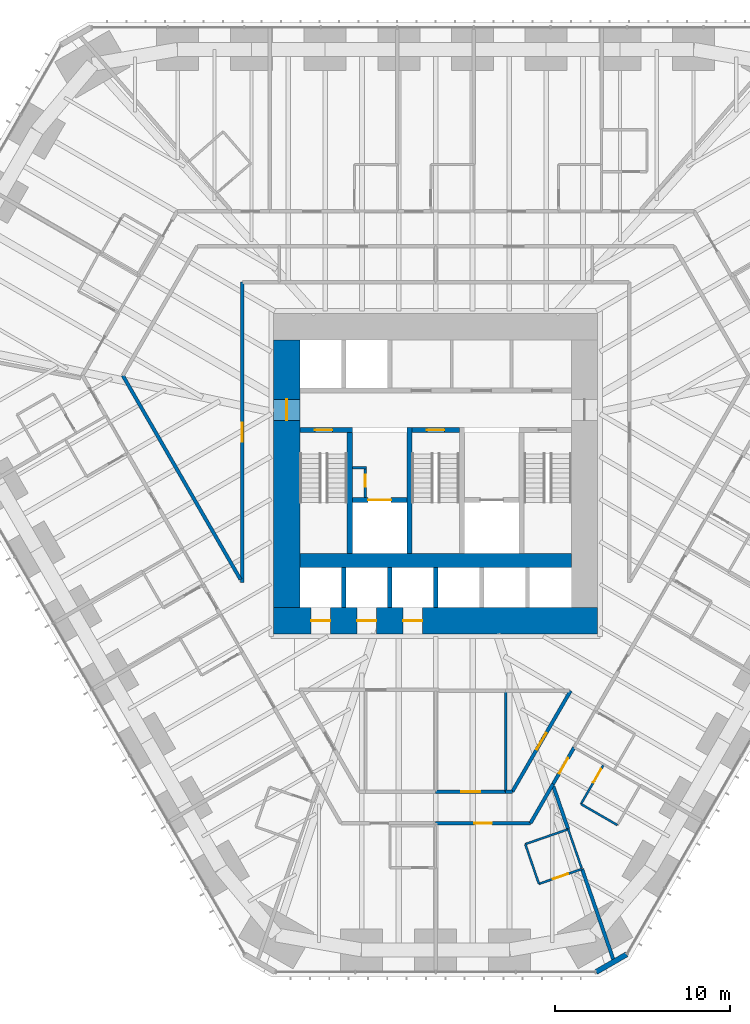
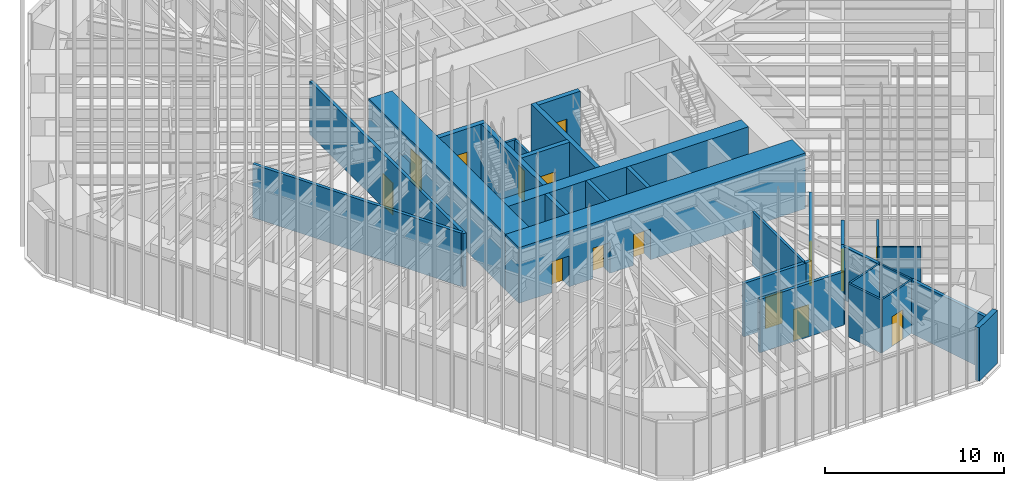
# One storey, part 251 of 256: 31 walls, 15 doors, 15 openings.
"""IFC4 building model written with IfcOpenShell, lengths in metres."""

from ifc_helpers import new_model, si_unit, direction, frame, frame_2d, origin, place, context, subcontext, project, spatial, rectangle, extrude, material, layer, layer_set, type_object, element, fill, save


model = new_model("IFC4")

# Units and contexts
model_context = context("Model", 3, precision=1e-05, world=origin(), true_north=direction((0.0, 1.0)))
body_context = subcontext(model_context, "Body", "Model", "MODEL_VIEW")
ifc_project = project(units=[si_unit("LENGTHUNIT", "METRE"), si_unit("AREAUNIT", "SQUARE_METRE"), si_unit("VOLUMEUNIT", "CUBIC_METRE"), si_unit("PLANEANGLEUNIT", "RADIAN"), si_unit("MASSUNIT", "GRAM", prefix="KILO")], contexts=[model_context])

# Site, building, storey
site_placement = place(None, origin())
site = spatial("IfcSite", under=ifc_project, at=site_placement, CompositionType="ELEMENT")
building_placement = place(site_placement, origin())
building = spatial("IfcBuilding", under=site, at=building_placement, Name="Sandreach Pilgrim Tower", CompositionType="ELEMENT")
storey_placement = place(building_placement, frame((0.0, 0.0, 23.0)))
storey = spatial("IfcBuildingStorey", under=building, at=storey_placement, Name="L04", CompositionType="ELEMENT", Elevation=23.0)

# Walls
ifc_material_1 = material(Name="Gypsum board on steel studs", Category="steel")
ifc_layer_1 = layer(ifc_material_1, 0.14990234375)
ifc_layer_set_1 = layer_set([ifc_layer_1], Name="Back of house wall 150")
wall_type_1 = type_object("IfcWallType", Name="Back of house wall 150", PredefinedType="PARTITIONING", material=ifc_layer_set_1)
wall_1_placement = place(storey_placement, frame((4.0, -13.949951171875, 0.0), z_axis=(0.0, 0.0, 1.0), x_axis=(0.0, -1.0, 0.0)))
element("IfcWall", 1, at=wall_1_placement, inside=storey, type_object=wall_type_1, Name="Back of house wall L04-094", PredefinedType="PARTITIONING", context=body_context, shape_type="SweptSolid", body=[
    extrude(rectangle(XDim=5.760009765625, YDim=0.14990234375, at=frame_2d((2.8798828125, 0.0))), origin(), (0.0, 0.0, 1.0), 3.639892578125),
])
ifc_material_2 = material(Name="Moisture-resistant gypsum board on steel studs", Category="steel")
ifc_layer_2 = layer(ifc_material_2, 0.1201171875)
ifc_layer_set_2 = layer_set([ifc_layer_2], Name="Bathroom partition 120")
wall_type_2 = type_object("IfcWallType", Name="Bathroom partition 120", PredefinedType="PARTITIONING", material=ifc_layer_set_2)
wall_2_placement = place(storey_placement, frame((5.1201171875, -22.7099609375, 0.0), z_axis=(0.0, 0.0, 1.0), x_axis=(0.324880771143, -0.945754981241, 0.0)))
element("IfcWall", 2, at=wall_2_placement, inside=storey, type_object=wall_type_2, Name="Bathroom partition L04-097", PredefinedType="PARTITIONING", context=body_context, shape_type="SweptSolid", body=[
    extrude(rectangle(XDim=2.400146484375, YDim=0.1201171875, at=frame_2d((1.2001953125, 0.0))), origin(), (0.0, 0.0, 1.0), 3.639892578125),
])

# Wall, opening, door
wall_3_placement = place(storey_placement, frame((5.89990234375, -24.97998046875, 0.0), z_axis=(0.0, 0.0, 1.0), x_axis=(0.945165466094, 0.326591857987, 0.0)))
wall_3 = element("IfcWall", 3, at=wall_3_placement, inside=storey, type_object=wall_type_2, Name="Bathroom partition L04-098", PredefinedType="PARTITIONING", context=body_context, shape_type="SweptSolid", body=[
    extrude(rectangle(XDim=2.60302734375, YDim=0.1201171875, at=frame_2d((1.301513671875, 0.0))), origin(), (0.0, 0.0, 1.0), 3.639892578125),
])
opening_1_placement = place(wall_3_placement, frame((0.85009765625, 0.0, 0.0)))
opening_1 = element("IfcOpeningElement", 4, at=opening_1_placement, cuts=wall_3, Name="Opening D09-13B", PredefinedType="OPENING", context=body_context, shape_type="SweptSolid", body=[
    extrude(rectangle(XDim=0.89990234375, YDim=2.030029296875, at=frame_2d((0.449951171875, 1.01513671875))), frame((0.0, 0.06005859375, 0.0), z_axis=(0.0, -1.0, 0.0), x_axis=(1.0, 0.0, 0.0)), (0.0, 0.0, 1.0), 0.1201171875),
])
ifc_material_3 = material(Name="Timber door, steel frame", Category="steel")
door_type_1 = type_object("IfcDoorType", Name="Bathroom door", OperationType="SINGLE_SWING_LEFT", PredefinedType="DOOR", material=ifc_material_3)
door_1_placement = place(opening_1_placement, origin())
door_1 = element("IfcDoor", 5, at=door_1_placement, inside=storey, type_object=door_type_1, Name="Door 0413B", OperationType="SINGLE_SWING_LEFT", OverallHeight=2.030029296875, OverallWidth=0.89990234375, PredefinedType="DOOR", context=body_context, shape_type="SweptSolid", body=[
    extrude(rectangle(XDim=0.89990234375, YDim=2.030029296875, at=frame_2d((0.449951171875, 1.01513671875))), frame((0.0, 0.02490234375, 0.0), z_axis=(0.0, -1.0, 0.0), x_axis=(1.0, 0.0, 0.0)), (0.0, 0.0, 1.0), 0.050048828125),
])
fill(opening_1, door_1)

# Walls
wall_4_placement = place(storey_placement, frame((7.570068359375, -21.860107421875, 0.0), z_axis=(0.0, 0.0, 1.0), x_axis=(-0.944782191137, -0.327698964463, 0.0)))
element("IfcWall", 6, at=wall_4_placement, inside=storey, type_object=wall_type_2, Name="Bathroom partition L04-104", PredefinedType="PARTITIONING", context=body_context, shape_type="SweptSolid", body=[
    extrude(rectangle(XDim=2.593505859375, YDim=0.1201171875, at=frame_2d((1.296875, 0.0))), origin(), (0.0, 0.0, 1.0), 3.639892578125),
])
wall_5_placement = place(storey_placement, frame((7.570068359375, -21.860107421875, 0.0), z_axis=(0.0, 0.0, 1.0), x_axis=(0.327706459026, -0.944779591605, 0.0)))
element("IfcWall", 7, at=wall_5_placement, inside=storey, type_object=wall_type_2, Name="Bathroom partition L04-105", PredefinedType="PARTITIONING", context=body_context, shape_type="SweptSolid", body=[
    extrude(rectangle(XDim=2.349609375, YDim=0.1201171875, at=frame_2d((1.1748046875, 0.0))), origin(), (0.0, 0.0, 1.0), 3.639892578125),
])
wall_6_placement = place(storey_placement, frame((8.300048828125, -20.419921875, 0.0), z_axis=(0.0, 0.0, 1.0), x_axis=(0.866177122335, -0.499737123639, 0.0)))
element("IfcWall", 8, at=wall_6_placement, inside=storey, type_object=wall_type_2, Name="Bathroom partition L04-109", PredefinedType="PARTITIONING", context=body_context, shape_type="SweptSolid", body=[
    extrude(rectangle(XDim=2.401123046875, YDim=0.1201171875, at=frame_2d((1.20068359375, 0.0))), origin(), (0.0, 0.0, 1.0), 3.639892578125),
])

# Wall, opening, door
wall_7_placement = place(storey_placement, frame((9.60009765625, -18.159912109375, 0.0), z_axis=(0.0, 0.0, 1.0), x_axis=(-0.498627694264, -0.866816256489, 0.0)))
wall_7 = element("IfcWall", 9, at=wall_7_placement, inside=storey, type_object=wall_type_2, Name="Bathroom partition L04-122", PredefinedType="PARTITIONING", context=body_context, shape_type="SweptSolid", body=[
    extrude(rectangle(XDim=2.607177734375, YDim=0.1201171875, at=frame_2d((1.3037109375, 0.0))), origin(), (0.0, 0.0, 1.0), 3.639892578125),
])
opening_2_placement = place(wall_7_placement, frame((0.300048828125, 0.0, 0.0)))
opening_2 = element("IfcOpeningElement", 10, at=opening_2_placement, cuts=wall_7, Name="Opening D09-12B", PredefinedType="OPENING", context=body_context, shape_type="SweptSolid", body=[
    extrude(rectangle(XDim=0.89990234375, YDim=2.030029296875, at=frame_2d((0.449951171875, 1.01513671875))), frame((0.0, 0.06005859375, 0.0), z_axis=(0.0, -1.0, 0.0), x_axis=(1.0, 0.0, 0.0)), (0.0, 0.0, 1.0), 0.1201171875),
])
door_2_placement = place(opening_2_placement, origin())
door_2 = element("IfcDoor", 11, at=door_2_placement, inside=storey, type_object=door_type_1, Name="Door 0412B", OperationType="SINGLE_SWING_LEFT", OverallHeight=2.030029296875, OverallWidth=0.89990234375, PredefinedType="DOOR", context=body_context, shape_type="SweptSolid", body=[
    extrude(rectangle(XDim=0.89990234375, YDim=2.030029296875, at=frame_2d((0.449951171875, 1.01513671875))), frame((0.0, 0.02490234375, 0.0), z_axis=(0.0, -1.0, 0.0), x_axis=(1.0, 0.0, 0.0)), (0.0, 0.0, 1.0), 0.050048828125),
])
fill(opening_2, door_2)

# Walls
ifc_material_4 = material(Name="Concrete 10000 psi", Category="concrete")
ifc_layer_3 = layer(ifc_material_4, 0.300048828125)
ifc_layer_set_3 = layer_set([ifc_layer_3], Name="Core inner wall 300")
wall_type_3 = type_object("IfcWallType", Name="Core inner wall 300", PredefinedType="SHEAR", material=ifc_layer_set_3)
for number, where, z_axis, x_axis, name in (
    (12, (-4.89990234375, -6.10009765625, 0.0), (0.0, 0.0, 1.0), (0.0, 1.0, 0.0), "Core wall I0 L04"),
    (13, (-1.5, -6.10009765625, 0.0), (0.0, 0.0, 1.0), (0.0, 1.0, 0.0), "Core wall I1 L04"),
):
    element("IfcWall", number, at=place(storey_placement, frame(where, z_axis=z_axis, x_axis=x_axis)), inside=storey, type_object=wall_type_3, Name=name, PredefinedType="SHEAR", context=body_context, shape_type="SweptSolid", body=[
        extrude(rectangle(XDim=7.2001953125, YDim=0.300048828125, at=frame_2d((3.60009765625, 0.0))), origin(), (0.0, 0.0, 1.0), 3.800048828125),
    ])

# Wall, opening, door
wall_8_placement = place(storey_placement, frame((-7.75, 0.949951171875, 0.0), z_axis=(0.0, 0.0, 1.0), x_axis=(1.0, 0.0, 0.0)))
wall_8 = element("IfcWall", 14, at=wall_8_placement, inside=storey, type_object=wall_type_3, Name="Core wall SN1 L04", PredefinedType="SHEAR", context=body_context, shape_type="SweptSolid", body=[
    extrude(rectangle(XDim=3.0, YDim=0.300048828125, at=frame_2d((1.5, 0.0))), origin(), (0.0, 0.0, 1.0), 3.800048828125),
])
opening_3_placement = place(wall_8_placement, frame((0.85009765625, 0.0, 0.0)))
opening_3 = element("IfcOpeningElement", 15, at=opening_3_placement, cuts=wall_8, Name="Opening D10S-ST1", PredefinedType="OPENING", context=body_context, shape_type="SweptSolid", body=[
    extrude(rectangle(XDim=1.0, YDim=2.199951171875, at=frame_2d((0.5, 1.10009765625))), frame((0.0, 0.14990234375, 0.0), z_axis=(0.0, -1.0, 0.0), x_axis=(1.0, 0.0, 0.0)), (0.0, 0.0, 1.0), 0.300048828125),
])
ifc_material_5 = material(Name="Steel door and frame", Category="steel")
door_type_2 = type_object("IfcDoorType", Name="Stair door", OperationType="SINGLE_SWING_LEFT", PredefinedType="DOOR", material=ifc_material_5)
door_3_placement = place(opening_3_placement, origin())
door_3 = element("IfcDoor", 16, at=door_3_placement, inside=storey, type_object=door_type_2, Name="Stair door ST1 L04", OperationType="SINGLE_SWING_LEFT", OverallHeight=2.199951171875, OverallWidth=1.0, PredefinedType="DOOR", context=body_context, shape_type="SweptSolid", body=[
    extrude(rectangle(XDim=1.0, YDim=2.199951171875, at=frame_2d((0.5, 1.10009765625))), frame((0.0, 0.02490234375, 0.0), z_axis=(0.0, -1.0, 0.0), x_axis=(1.0, 0.0, 0.0)), (0.0, 0.0, 1.0), 0.050048828125),
])
fill(opening_3, door_3)

wall_9_placement = place(storey_placement, frame((-1.35009765625, 0.949951171875, 0.0), z_axis=(0.0, 0.0, 1.0), x_axis=(1.0, 0.0, 0.0)))
wall_9 = element("IfcWall", 17, at=wall_9_placement, inside=storey, type_object=wall_type_3, Name="Core wall SN3 L04", PredefinedType="SHEAR", context=body_context, shape_type="SweptSolid", body=[
    extrude(rectangle(XDim=2.7001953125, YDim=0.300048828125, at=frame_2d((1.35009765625, 0.0))), origin(), (0.0, 0.0, 1.0), 3.800048828125),
])
opening_4_placement = place(wall_9_placement, frame((0.85009765625, 0.0, 0.0)))
opening_4 = element("IfcOpeningElement", 18, at=opening_4_placement, cuts=wall_9, Name="Opening D10S-ST3", PredefinedType="OPENING", context=body_context, shape_type="SweptSolid", body=[
    extrude(rectangle(XDim=1.0, YDim=2.199951171875, at=frame_2d((0.5, 1.10009765625))), frame((0.0, 0.14990234375, 0.0), z_axis=(0.0, -1.0, 0.0), x_axis=(1.0, 0.0, 0.0)), (0.0, 0.0, 1.0), 0.300048828125),
])
door_4_placement = place(opening_4_placement, origin())
door_4 = element("IfcDoor", 19, at=door_4_placement, inside=storey, type_object=door_type_2, Name="Stair door ST3 L04", OperationType="SINGLE_SWING_LEFT", OverallHeight=2.199951171875, OverallWidth=1.0, PredefinedType="DOOR", context=body_context, shape_type="SweptSolid", body=[
    extrude(rectangle(XDim=1.0, YDim=2.199951171875, at=frame_2d((0.5, 1.10009765625))), frame((0.0, 0.02490234375, 0.0), z_axis=(0.0, -1.0, 0.0), x_axis=(1.0, 0.0, 0.0)), (0.0, 0.0, 1.0), 0.050048828125),
])
fill(opening_4, door_4)

wall_10_placement = place(storey_placement, frame((-4.75, -3.050048828125, 0.0), z_axis=(0.0, 0.0, 1.0), x_axis=(1.0, 0.0, 0.0)))
wall_10 = element("IfcWall", 20, at=wall_10_placement, inside=storey, type_object=wall_type_3, Name="Core wall FL1 L04", PredefinedType="SHEAR", context=body_context, shape_type="SweptSolid", body=[
    extrude(rectangle(XDim=3.10009765625, YDim=0.300048828125, at=frame_2d((1.550048828125, 0.0))), origin(), (0.0, 0.0, 1.0), 3.800048828125),
])
opening_5_placement = place(wall_10_placement, frame((0.89990234375, 0.0, 0.0)))
opening_5 = element("IfcOpeningElement", 21, at=opening_5_placement, cuts=wall_10, Name="Opening LD13", PredefinedType="OPENING", context=body_context, shape_type="SweptSolid", body=[
    extrude(rectangle(XDim=1.300048828125, YDim=2.10009765625, at=frame_2d((0.64990234375, 1.050048828125))), frame((0.0, 0.14990234375, 0.0), z_axis=(0.0, -1.0, 0.0), x_axis=(1.0, 0.0, 0.0)), (0.0, 0.0, 1.0), 0.300048828125),
])
ifc_material_6 = material(Name="Steel door and frame", Category="steel")
door_type_3 = type_object("IfcDoorType", Name="Fire service lift landing door", OperationType="DOUBLE_DOOR_SLIDING", PredefinedType="DOOR", material=ifc_material_6)
door_5_placement = place(opening_5_placement, origin())
door_5 = element("IfcDoor", 22, at=door_5_placement, inside=storey, type_object=door_type_3, Name="Lift landing door FS1 L04", OperationType="DOUBLE_DOOR_SLIDING", OverallHeight=2.10009765625, OverallWidth=1.300048828125, PredefinedType="DOOR", context=body_context, shape_type="SweptSolid", body=[
    extrude(rectangle(XDim=1.300048828125, YDim=2.10009765625, at=frame_2d((0.64990234375, 1.050048828125))), frame((0.0, 0.02490234375, 0.0), z_axis=(0.0, -1.0, 0.0), x_axis=(1.0, 0.0, 0.0)), (0.0, 0.0, 1.0), 0.050048828125),
])
fill(opening_5, door_5)

# Wall
ifc_material_7 = material(Name="Concrete 10000 psi", Category="concrete")
ifc_layer_4 = layer(ifc_material_7, 0.800048828125)
ifc_layer_set_4 = layer_set([ifc_layer_4], Name="Core mid wall 800")
wall_type_4 = type_object("IfcWallType", Name="Core mid wall 800", PredefinedType="SHEAR", material=ifc_layer_set_4)
wall_11_placement = place(storey_placement, frame((-7.75, -6.5, 0.0), z_axis=(0.0, 0.0, 1.0), x_axis=(1.0, 0.0, 0.0)))
element("IfcWall", 23, at=wall_11_placement, inside=storey, type_object=wall_type_4, Name="Core wall M L04", PredefinedType="SHEAR", context=body_context, shape_type="SweptSolid", body=[
    extrude(rectangle(XDim=15.5, YDim=0.800048828125, at=frame_2d((7.75, 0.0))), origin(), (0.0, 0.0, 1.0), 3.800048828125),
])

# Wall, openings, doors
ifc_material_8 = material(Name="Concrete 10000 psi", Category="concrete")
ifc_layer_5 = layer(ifc_material_8, 1.5)
ifc_layer_set_5 = layer_set([ifc_layer_5], Name="Core wall 1500")
wall_type_5 = type_object("IfcWallType", Name="Core wall 1500", PredefinedType="SHEAR", material=ifc_layer_set_5)
wall_12_placement = place(storey_placement, frame((-9.25, -9.949951171875, 0.0), z_axis=(0.0, 0.0, 1.0), x_axis=(1.0, 0.0, 0.0)))
wall_12 = element("IfcWall", 24, at=wall_12_placement, inside=storey, type_object=wall_type_5, Name="Core wall S L04", PredefinedType="SHEAR", context=body_context, shape_type="SweptSolid", body=[
    extrude(rectangle(XDim=18.5, YDim=1.5, at=frame_2d((9.25, 0.0))), origin(), (0.0, 0.0, 1.0), 3.800048828125),
])
opening_6_placement = place(wall_12_placement, frame((2.137451171875, 0.0, 0.0)))
opening_6 = element("IfcOpeningElement", 25, at=opening_6_placement, cuts=wall_12, Name="Opening LD11", PredefinedType="OPENING", context=body_context, shape_type="SweptSolid", body=[
    extrude(rectangle(XDim=1.10009765625, YDim=2.10009765625, at=frame_2d((0.550048828125, 1.050048828125))), frame((0.0, 0.75, 0.0), z_axis=(0.0, -1.0, 0.0), x_axis=(1.0, 0.0, 0.0)), (0.0, 0.0, 1.0), 1.5),
])
opening_7_placement = place(wall_12_placement, frame((4.762451171875, 0.0, 0.0)))
opening_7 = element("IfcOpeningElement", 26, at=opening_7_placement, cuts=wall_12, Name="Opening LD11", PredefinedType="OPENING", context=body_context, shape_type="SweptSolid", body=[
    extrude(rectangle(XDim=1.10009765625, YDim=2.10009765625, at=frame_2d((0.550048828125, 1.050048828125))), frame((0.0, 0.75, 0.0), z_axis=(0.0, -1.0, 0.0), x_axis=(1.0, 0.0, 0.0)), (0.0, 0.0, 1.0), 1.5),
])
opening_8_placement = place(wall_12_placement, frame((7.387451171875, 0.0, 0.0)))
opening_8 = element("IfcOpeningElement", 27, at=opening_8_placement, cuts=wall_12, Name="Opening LD11", PredefinedType="OPENING", context=body_context, shape_type="SweptSolid", body=[
    extrude(rectangle(XDim=1.10009765625, YDim=2.10009765625, at=frame_2d((0.550048828125, 1.050048828125))), frame((0.0, 0.75, 0.0), z_axis=(0.0, -1.0, 0.0), x_axis=(1.0, 0.0, 0.0)), (0.0, 0.0, 1.0), 1.5),
])
ifc_material_9 = material(Name="Steel door and frame", Category="steel")
door_type_4 = type_object("IfcDoorType", Name="Lift landing door", OperationType="DOUBLE_DOOR_SLIDING", PredefinedType="DOOR", material=ifc_material_9)
door_6_placement = place(opening_6_placement, origin())
door_6 = element("IfcDoor", 28, at=door_6_placement, inside=storey, type_object=door_type_4, Name="Lift landing door Z1A L04", OperationType="DOUBLE_DOOR_SLIDING", OverallHeight=2.10009765625, OverallWidth=1.10009765625, PredefinedType="DOOR", context=body_context, shape_type="SweptSolid", body=[
    extrude(rectangle(XDim=1.10009765625, YDim=2.10009765625, at=frame_2d((0.550048828125, 1.050048828125))), frame((0.0, 0.02490234375, 0.0), z_axis=(0.0, -1.0, 0.0), x_axis=(1.0, 0.0, 0.0)), (0.0, 0.0, 1.0), 0.050048828125),
])
fill(opening_6, door_6)
door_7_placement = place(opening_7_placement, origin())
door_7 = element("IfcDoor", 29, at=door_7_placement, inside=storey, type_object=door_type_4, Name="Lift landing door Z1B L04", OperationType="DOUBLE_DOOR_SLIDING", OverallHeight=2.10009765625, OverallWidth=1.10009765625, PredefinedType="DOOR", context=body_context, shape_type="SweptSolid", body=[
    extrude(rectangle(XDim=1.10009765625, YDim=2.10009765625, at=frame_2d((0.550048828125, 1.050048828125))), frame((0.0, 0.02490234375, 0.0), z_axis=(0.0, -1.0, 0.0), x_axis=(1.0, 0.0, 0.0)), (0.0, 0.0, 1.0), 0.050048828125),
])
fill(opening_7, door_7)
door_8_placement = place(opening_8_placement, origin())
door_8 = element("IfcDoor", 30, at=door_8_placement, inside=storey, type_object=door_type_4, Name="Lift landing door Z1C L04", OperationType="DOUBLE_DOOR_SLIDING", OverallHeight=2.10009765625, OverallWidth=1.10009765625, PredefinedType="DOOR", context=body_context, shape_type="SweptSolid", body=[
    extrude(rectangle(XDim=1.10009765625, YDim=2.10009765625, at=frame_2d((0.550048828125, 1.050048828125))), frame((0.0, 0.02490234375, 0.0), z_axis=(0.0, -1.0, 0.0), x_axis=(1.0, 0.0, 0.0)), (0.0, 0.0, 1.0), 0.050048828125),
])
fill(opening_8, door_8)

# Wall, opening, door
wall_13_placement = place(storey_placement, frame((-8.5, -9.199951171875, 0.0), z_axis=(0.0, 0.0, 1.0), x_axis=(0.0, 1.0, 0.0)))
wall_13 = element("IfcWall", 31, at=wall_13_placement, inside=storey, type_object=wall_type_5, Name="Core wall W L04", PredefinedType="SHEAR", context=body_context, shape_type="SweptSolid", body=[
    extrude(rectangle(XDim=15.300048828125, YDim=1.5, at=frame_2d((7.64990234375, 0.0))), origin(), (0.0, 0.0, 1.0), 3.800048828125),
])
opening_9_placement = place(wall_13_placement, frame((10.699951171875, 0.0, 0.0)))
opening_9 = element("IfcOpeningElement", 32, at=opening_9_placement, cuts=wall_13, Name="Opening D12F-W", PredefinedType="OPENING", context=body_context, shape_type="SweptSolid", body=[
    extrude(rectangle(XDim=1.199951171875, YDim=2.199951171875, at=frame_2d((0.60009765625, 1.10009765625))), frame((0.0, 0.75, 0.0), z_axis=(0.0, -1.0, 0.0), x_axis=(1.0, 0.0, 0.0)), (0.0, 0.0, 1.0), 1.5),
])
ifc_material_10 = material(Name="Steel door and frame", Category="steel")
door_type_5 = type_object("IfcDoorType", Name="Fire lobby door", OperationType="SINGLE_SWING_LEFT", PredefinedType="DOOR", material=ifc_material_10)
door_9_placement = place(opening_9_placement, origin())
door_9 = element("IfcDoor", 33, at=door_9_placement, inside=storey, type_object=door_type_5, Name="Fire service lobby door W L04", OperationType="SINGLE_SWING_RIGHT", OverallHeight=2.199951171875, OverallWidth=1.199951171875, PredefinedType="DOOR", context=body_context, shape_type="SweptSolid", body=[
    extrude(rectangle(XDim=1.199951171875, YDim=2.199951171875, at=frame_2d((0.60009765625, 1.10009765625))), frame((0.0, 0.02490234375, 0.0), z_axis=(0.0, -1.0, 0.0), x_axis=(1.0, 0.0, 0.0)), (0.0, 0.0, 1.0), 0.050048828125),
])
fill(opening_9, door_9)

# Wall
ifc_material_11 = material(Name="Gypsum board on steel studs, two layers each side", Category="steel")
ifc_layer_6 = layer(ifc_material_11, 0.199951171875)
ifc_layer_set_6 = layer_set([ifc_layer_6], Name="Corridor wall 200")
wall_type_6 = type_object("IfcWallType", Name="Corridor wall 200", PredefinedType="PARTITIONING", material=ifc_layer_set_6)
wall_14_placement = place(storey_placement, frame((-11.1474609375, -7.591064453125, 0.0), z_axis=(0.0, 0.0, 1.0), x_axis=(-0.499756496688, 0.86616594485, 0.0)))
element("IfcWall", 34, at=wall_14_placement, inside=storey, type_object=wall_type_6, Name="Corridor wall L04-046", PredefinedType="PARTITIONING", context=body_context, shape_type="SweptSolid", body=[
    extrude(rectangle(XDim=13.451416015625, YDim=0.199951171875, at=frame_2d((6.7255859375, 0.0))), origin(), (0.0, 0.0, 1.0), 3.639892578125),
])

# Wall, opening, door
wall_15_placement = place(storey_placement, frame((-11.050048828125, 9.39990234375, 0.0), z_axis=(0.0, 0.0, 1.0), x_axis=(0.0, -1.0, 0.0)))
wall_15 = element("IfcWall", 35, at=wall_15_placement, inside=storey, type_object=wall_type_6, Name="Corridor wall L04-048", PredefinedType="PARTITIONING", context=body_context, shape_type="SweptSolid", body=[
    extrude(rectangle(XDim=17.159912109375, YDim=0.199951171875, at=frame_2d((8.580078125, 0.0))), origin(), (0.0, 0.0, 1.0), 3.639892578125),
])
opening_10_placement = place(wall_15_placement, frame((8.030029296875, 0.0, 0.0)))
opening_10 = element("IfcOpeningElement", 36, at=opening_10_placement, cuts=wall_15, Name="Opening D11H-M01", PredefinedType="OPENING", context=body_context, shape_type="SweptSolid", body=[
    extrude(rectangle(XDim=1.10009765625, YDim=2.199951171875, at=frame_2d((0.550048828125, 1.10009765625))), frame((0.0, 0.10009765625, 0.0), z_axis=(0.0, -1.0, 0.0), x_axis=(1.0, 0.0, 0.0)), (0.0, 0.0, 1.0), 0.199951171875),
])
ifc_material_12 = material(Name="Steel door and frame", Category="steel")
door_type_6 = type_object("IfcDoorType", Name="Back of house door", OperationType="SINGLE_SWING_LEFT", PredefinedType="DOOR", material=ifc_material_12)
door_10_placement = place(opening_10_placement, origin())
door_10 = element("IfcDoor", 37, at=door_10_placement, inside=storey, type_object=door_type_6, Name="Door 04M01", OperationType="SINGLE_SWING_LEFT", OverallHeight=2.199951171875, OverallWidth=1.10009765625, PredefinedType="DOOR", context=body_context, shape_type="SweptSolid", body=[
    extrude(rectangle(XDim=1.10009765625, YDim=2.199951171875, at=frame_2d((0.550048828125, 1.10009765625))), frame((0.0, 0.02490234375, 0.0), z_axis=(0.0, -1.0, 0.0), x_axis=(1.0, 0.0, 0.0)), (0.0, 0.0, 1.0), 0.050048828125),
])
fill(opening_10, door_10)

wall_16_placement = place(storey_placement, frame((0.0, -21.510009765625, 0.0), z_axis=(0.0, 0.0, 1.0), x_axis=(1.0, 0.0, 0.0)))
wall_16 = element("IfcWall", 38, at=wall_16_placement, inside=storey, type_object=wall_type_6, Name="Corridor wall L04-081", PredefinedType="PARTITIONING", context=body_context, shape_type="SweptSolid", body=[
    extrude(rectangle(XDim=5.419921875, YDim=0.199951171875, at=frame_2d((2.7099609375, 0.0))), origin(), (0.0, 0.0, 1.0), 3.639892578125),
])
opening_11_placement = place(wall_16_placement, frame((2.2099609375, 0.0, 0.0)))
opening_11 = element("IfcOpeningElement", 39, at=opening_11_placement, cuts=wall_16, Name="Opening D10-13", PredefinedType="OPENING", context=body_context, shape_type="SweptSolid", body=[
    extrude(rectangle(XDim=1.0, YDim=2.1298828125, at=frame_2d((0.5, 1.06494140625))), frame((0.0, 0.10009765625, 0.0), z_axis=(0.0, -1.0, 0.0), x_axis=(1.0, 0.0, 0.0)), (0.0, 0.0, 1.0), 0.199951171875),
])
ifc_material_13 = material(Name="Steel door and frame", Category="steel")
door_type_7 = type_object("IfcDoorType", Name="Guest room entry door", OperationType="SINGLE_SWING_LEFT", PredefinedType="DOOR", material=ifc_material_13)
door_11_placement = place(opening_11_placement, origin())
door_11 = element("IfcDoor", 40, at=door_11_placement, inside=storey, type_object=door_type_7, Name="Door 0413", OperationType="SINGLE_SWING_LEFT", OverallHeight=2.1298828125, OverallWidth=1.0, PredefinedType="DOOR", context=body_context, shape_type="SweptSolid", body=[
    extrude(rectangle(XDim=1.0, YDim=2.1298828125, at=frame_2d((0.5, 1.06494140625))), frame((0.0, 0.02490234375, 0.0), z_axis=(0.0, -1.0, 0.0), x_axis=(1.0, 0.0, 0.0)), (0.0, 0.0, 1.0), 0.050048828125),
])
fill(opening_11, door_11)

wall_17_placement = place(storey_placement, frame((4.0, -19.7099609375, 0.0), z_axis=(0.0, 0.0, 1.0), x_axis=(-1.0, 0.0, 0.0)))
wall_17 = element("IfcWall", 41, at=wall_17_placement, inside=storey, type_object=wall_type_6, Name="Corridor wall L04-093", PredefinedType="PARTITIONING", context=body_context, shape_type="SweptSolid", body=[
    extrude(rectangle(XDim=4.0, YDim=0.199951171875, at=frame_2d((2.0, 0.0))), origin(), (0.0, 0.0, 1.0), 3.639892578125),
])
opening_12_placement = place(wall_17_placement, frame((1.449951171875, 0.0, 0.0)))
opening_12 = element("IfcOpeningElement", 42, at=opening_12_placement, cuts=wall_17, Name="Opening D11H-S3", PredefinedType="OPENING", context=body_context, shape_type="SweptSolid", body=[
    extrude(rectangle(XDim=1.10009765625, YDim=2.199951171875, at=frame_2d((0.550048828125, 1.10009765625))), frame((0.0, 0.10009765625, 0.0), z_axis=(0.0, -1.0, 0.0), x_axis=(1.0, 0.0, 0.0)), (0.0, 0.0, 1.0), 0.199951171875),
])
door_12_placement = place(opening_12_placement, origin())
door_12 = element("IfcDoor", 43, at=door_12_placement, inside=storey, type_object=door_type_6, Name="Door 04S3", OperationType="SINGLE_SWING_LEFT", OverallHeight=2.199951171875, OverallWidth=1.10009765625, PredefinedType="DOOR", context=body_context, shape_type="SweptSolid", body=[
    extrude(rectangle(XDim=1.10009765625, YDim=2.199951171875, at=frame_2d((0.550048828125, 1.10009765625))), frame((0.0, 0.02490234375, 0.0), z_axis=(0.0, -1.0, 0.0), x_axis=(1.0, 0.0, 0.0)), (0.0, 0.0, 1.0), 0.050048828125),
])
fill(opening_12, door_12)

# Walls
wall_18_placement = place(storey_placement, frame((4.3798828125, -19.7099609375, 0.0), z_axis=(0.0, 0.0, 1.0), x_axis=(-1.0, 0.0, 0.0)))
element("IfcWall", 44, at=wall_18_placement, inside=storey, type_object=wall_type_6, Name="Corridor wall L04-096", PredefinedType="PARTITIONING", context=body_context, shape_type="SweptSolid", body=[
    extrude(rectangle(XDim=0.3798828125, YDim=0.199951171875, at=frame_2d((0.18994140625, 0.0))), origin(), (0.0, 0.0, 1.0), 3.639892578125),
])
wall_19_placement = place(storey_placement, frame((6.7099609375, -19.27001953125, 0.0), z_axis=(0.0, 0.0, 1.0), x_axis=(-0.499065468721, -0.866564283784, 0.0)))
element("IfcWall", 45, at=wall_19_placement, inside=storey, type_object=wall_type_6, Name="Corridor wall L04-099", PredefinedType="PARTITIONING", context=body_context, shape_type="SweptSolid", body=[
    extrude(rectangle(XDim=2.5849609375, YDim=0.199951171875, at=frame_2d((1.29248046875, 0.0))), origin(), (0.0, 0.0, 1.0), 3.639892578125),
])

# Wall, opening, door
wall_20_placement = place(storey_placement, frame((6.7099609375, -19.27001953125, 0.0), z_axis=(0.0, 0.0, 1.0), x_axis=(0.499693115345, 0.866202511239, 0.0)))
wall_20 = element("IfcWall", 46, at=wall_20_placement, inside=storey, type_object=wall_type_6, Name="Corridor wall L04-100", PredefinedType="PARTITIONING", context=body_context, shape_type="SweptSolid", body=[
    extrude(rectangle(XDim=2.4013671875, YDim=0.199951171875, at=frame_2d((1.20068359375, 0.0))), origin(), (0.0, 0.0, 1.0), 3.639892578125),
])
opening_13_placement = place(wall_20_placement, frame((0.70068359375, 0.0, 0.0)))
opening_13 = element("IfcOpeningElement", 47, at=opening_13_placement, cuts=wall_20, Name="Opening D10-12", PredefinedType="OPENING", context=body_context, shape_type="SweptSolid", body=[
    extrude(rectangle(XDim=1.0, YDim=2.1298828125, at=frame_2d((0.5, 1.06494140625))), frame((0.0, 0.10009765625, 0.0), z_axis=(0.0, -1.0, 0.0), x_axis=(1.0, 0.0, 0.0)), (0.0, 0.0, 1.0), 0.199951171875),
])
door_13_placement = place(opening_13_placement, origin())
door_13 = element("IfcDoor", 48, at=door_13_placement, inside=storey, type_object=door_type_7, Name="Door 0412", OperationType="SINGLE_SWING_LEFT", OverallHeight=2.1298828125, OverallWidth=1.0, PredefinedType="DOOR", context=body_context, shape_type="SweptSolid", body=[
    extrude(rectangle(XDim=1.0, YDim=2.1298828125, at=frame_2d((0.5, 1.06494140625))), frame((0.0, 0.02490234375, 0.0), z_axis=(0.0, -1.0, 0.0), x_axis=(1.0, 0.0, 0.0)), (0.0, 0.0, 1.0), 0.050048828125),
])
fill(opening_13, door_13)

wall_21_placement = place(storey_placement, frame((7.7099609375, -13.949951171875, 0.0), z_axis=(0.0, 0.0, 1.0), x_axis=(-0.500511113963, -0.865730110831, 0.0)))
wall_21 = element("IfcWall", 49, at=wall_21_placement, inside=storey, type_object=wall_type_6, Name="Corridor wall L04-106", PredefinedType="PARTITIONING", context=body_context, shape_type="SweptSolid", body=[
    extrude(rectangle(XDim=6.6533203125, YDim=0.199951171875, at=frame_2d((3.32666015625, 0.0))), origin(), (0.0, 0.0, 1.0), 3.639892578125),
])
opening_14_placement = place(wall_21_placement, frame((2.776611328125, 0.0, 0.0)))
opening_14 = element("IfcOpeningElement", 50, at=opening_14_placement, cuts=wall_21, Name="Opening D11H-S4", PredefinedType="OPENING", context=body_context, shape_type="SweptSolid", body=[
    extrude(rectangle(XDim=1.10009765625, YDim=2.199951171875, at=frame_2d((0.550048828125, 1.10009765625))), frame((0.0, 0.10009765625, 0.0), z_axis=(0.0, -1.0, 0.0), x_axis=(1.0, 0.0, 0.0)), (0.0, 0.0, 1.0), 0.199951171875),
])
door_14_placement = place(opening_14_placement, origin())
door_14 = element("IfcDoor", 51, at=door_14_placement, inside=storey, type_object=door_type_6, Name="Door 04S4", OperationType="SINGLE_SWING_LEFT", OverallHeight=2.199951171875, OverallWidth=1.10009765625, PredefinedType="DOOR", context=body_context, shape_type="SweptSolid", body=[
    extrude(rectangle(XDim=1.10009765625, YDim=2.199951171875, at=frame_2d((0.550048828125, 1.10009765625))), frame((0.0, 0.02490234375, 0.0), z_axis=(0.0, -1.0, 0.0), x_axis=(1.0, 0.0, 0.0)), (0.0, 0.0, 1.0), 0.050048828125),
])
fill(opening_14, door_14)

# Walls
ifc_material_14 = material(Name="Double steel stud acoustic wall, gypsum board", Category="steel")
ifc_layer_7 = layer(ifc_material_14, 0.199951171875)
ifc_layer_set_7 = layer_set([ifc_layer_7], Name="Party wall 200")
wall_type_7 = type_object("IfcWallType", Name="Party wall 200", PredefinedType="PARTITIONING", material=ifc_layer_set_7)
wall_22_placement = place(storey_placement, frame((6.725830078125, -19.4140625, 0.0), z_axis=(0.0, 0.0, 1.0), x_axis=(0.326258175708, -0.945280700524, 0.0)))
element("IfcWall", 52, at=wall_22_placement, inside=storey, type_object=wall_type_7, Name="Party wall L04-101", PredefinedType="PARTITIONING", context=body_context, shape_type="SweptSolid", body=[
    extrude(rectangle(XDim=2.587646484375, YDim=0.199951171875, at=frame_2d((1.2939453125, 0.0))), origin(), (0.0, 0.0, 1.0), 3.639892578125),
])
wall_23_placement = place(storey_placement, frame((8.360107421875, -24.1298828125, 0.0), z_axis=(0.0, 0.0, 1.0), x_axis=(0.327332811485, -0.944909112309, 0.0)))
element("IfcWall", 53, at=wall_23_placement, inside=storey, type_object=wall_type_7, Name="Party wall L04-110", PredefinedType="PARTITIONING", context=body_context, shape_type="SweptSolid", body=[
    extrude(rectangle(XDim=5.621337890625, YDim=0.199951171875, at=frame_2d((2.810546875, 0.0))), origin(), (0.0, 0.0, 1.0), 3.639892578125),
])

# Wall, opening, door
ifc_material_15 = material(Name="Gypsum shaft wall on steel studs, shaft liner board", Category="steel")
ifc_layer_8 = layer(ifc_material_15, 0.14990234375)
ifc_layer_set_8 = layer_set([ifc_layer_8], Name="Riser shaft wall 150")
wall_type_8 = type_object("IfcWallType", Name="Riser shaft wall 150", PredefinedType="PARTITIONING", material=ifc_layer_set_8)
wall_24_placement = place(storey_placement, frame((-4.02490234375, -2.89990234375, 0.0), z_axis=(0.0, 0.0, 1.0), x_axis=(0.0, 1.0, 0.0)))
wall_24 = element("IfcWall", 54, at=wall_24_placement, inside=storey, type_object=wall_type_8, Name="Riser partition L04 side", PredefinedType="PARTITIONING", context=body_context, shape_type="SweptSolid", body=[
    extrude(rectangle(XDim=1.77490234375, YDim=0.14990234375, at=frame_2d((0.887451171875, 0.0))), origin(), (0.0, 0.0, 1.0), 3.639892578125),
])
opening_15_placement = place(wall_24_placement, frame((0.60009765625, 0.0, 0.0)))
opening_15 = element("IfcOpeningElement", 55, at=opening_15_placement, cuts=wall_24, Name="Opening D07R", PredefinedType="OPENING", context=body_context, shape_type="SweptSolid", body=[
    extrude(rectangle(XDim=0.699951171875, YDim=2.10009765625, at=frame_2d((0.35009765625, 1.050048828125))), frame((0.0, 0.074951171875, 0.0), z_axis=(0.0, -1.0, 0.0), x_axis=(1.0, 0.0, 0.0)), (0.0, 0.0, 1.0), 0.14990234375),
])
ifc_material_16 = material(Name="Steel door and frame, smoke seals", Category="steel")
door_type_8 = type_object("IfcDoorType", Name="Riser access door", OperationType="SINGLE_SWING_RIGHT", PredefinedType="DOOR", material=ifc_material_16)
door_15_placement = place(opening_15_placement, origin())
door_15 = element("IfcDoor", 56, at=door_15_placement, inside=storey, type_object=door_type_8, Name="Door riser 04ER", OperationType="SINGLE_SWING_RIGHT", OverallHeight=2.10009765625, OverallWidth=0.699951171875, PredefinedType="DOOR", context=body_context, shape_type="SweptSolid", body=[
    extrude(rectangle(XDim=0.699951171875, YDim=2.10009765625, at=frame_2d((0.35009765625, 1.050048828125))), frame((0.0, 0.02490234375, 0.0), z_axis=(0.0, -1.0, 0.0), x_axis=(1.0, 0.0, 0.0)), (0.0, 0.0, 1.0), 0.050048828125),
])
fill(opening_15, door_15)

# Walls
wall_25_placement = place(storey_placement, frame((-4.75, -1.199951171875, 0.0), z_axis=(0.0, 0.0, 1.0), x_axis=(1.0, 0.0, 0.0)))
element("IfcWall", 57, at=wall_25_placement, inside=storey, type_object=wall_type_8, Name="Riser partition L04 front", PredefinedType="PARTITIONING", context=body_context, shape_type="SweptSolid", body=[
    extrude(rectangle(XDim=0.800048828125, YDim=0.14990234375, at=frame_2d((0.39990234375, 0.0))), origin(), (0.0, 0.0, 1.0), 3.639892578125),
])
ifc_material_17 = material(Name="Gypsum shaft wall on steel studs, two layers of shaft liner board", Category="steel")
ifc_layer_9 = layer(ifc_material_17, 0.25)
ifc_layer_set_9 = layer_set([ifc_layer_9], Name="Shaft partition 250")
wall_type_9 = type_object("IfcWallType", Name="Shaft partition 250", PredefinedType="PARTITIONING", material=ifc_layer_set_9)
for number, where, z_axis, x_axis, name in (
    (58, (-5.25, -9.199951171875, 0.0), (0.0, 0.0, 1.0), (0.0, 1.0, 0.0), "Shaft partition XS0 L04"),
    (59, (-2.625, -9.199951171875, 0.0), (0.0, 0.0, 1.0), (0.0, 1.0, 0.0), "Shaft partition XS1 L04"),
    (60, (0.0, -9.199951171875, 0.0), (0.0, 0.0, 1.0), (0.0, 1.0, 0.0), "Shaft partition XS2 L04"),
):
    element("IfcWall", number, at=place(storey_placement, frame(where, z_axis=z_axis, x_axis=x_axis)), inside=storey, type_object=wall_type_9, Name=name, PredefinedType="PARTITIONING", context=body_context, shape_type="SweptSolid", body=[
        extrude(rectangle(XDim=2.300048828125, YDim=0.25, at=frame_2d((1.14990234375, 0.0))), origin(), (0.0, 0.0, 1.0), 3.800048828125),
    ])
ifc_material_18 = material(Name="Terracotta rainscreen on concrete", Category="masonry")
ifc_layer_10 = layer(ifc_material_18, 0.300048828125)
ifc_layer_set_10 = layer_set([ifc_layer_10], Name="Terracotta chamfer pier")
wall_type_10 = type_object("IfcWallType", Name="Terracotta chamfer pier", PredefinedType="SOLIDWALL", material=ifc_layer_set_10)
wall_26_placement = place(storey_placement, frame((10.904052734375, -29.010986328125, 0.0), z_axis=(0.0, 0.0, 1.0), x_axis=(-0.866010750942, -0.50002537861, 0.0)))
element("IfcWall", 61, at=wall_26_placement, inside=storey, type_object=wall_type_10, Name="Chamfer pier L04 SE", PredefinedType="SOLIDWALL", context=body_context, shape_type="SweptSolid", body=[
    extrude(rectangle(XDim=2.0, YDim=0.300048828125, at=frame_2d((1.0, 0.0))), origin(), (0.0, 0.0, 1.0), 3.639892578125),
])

save(model, "model.ifc")
